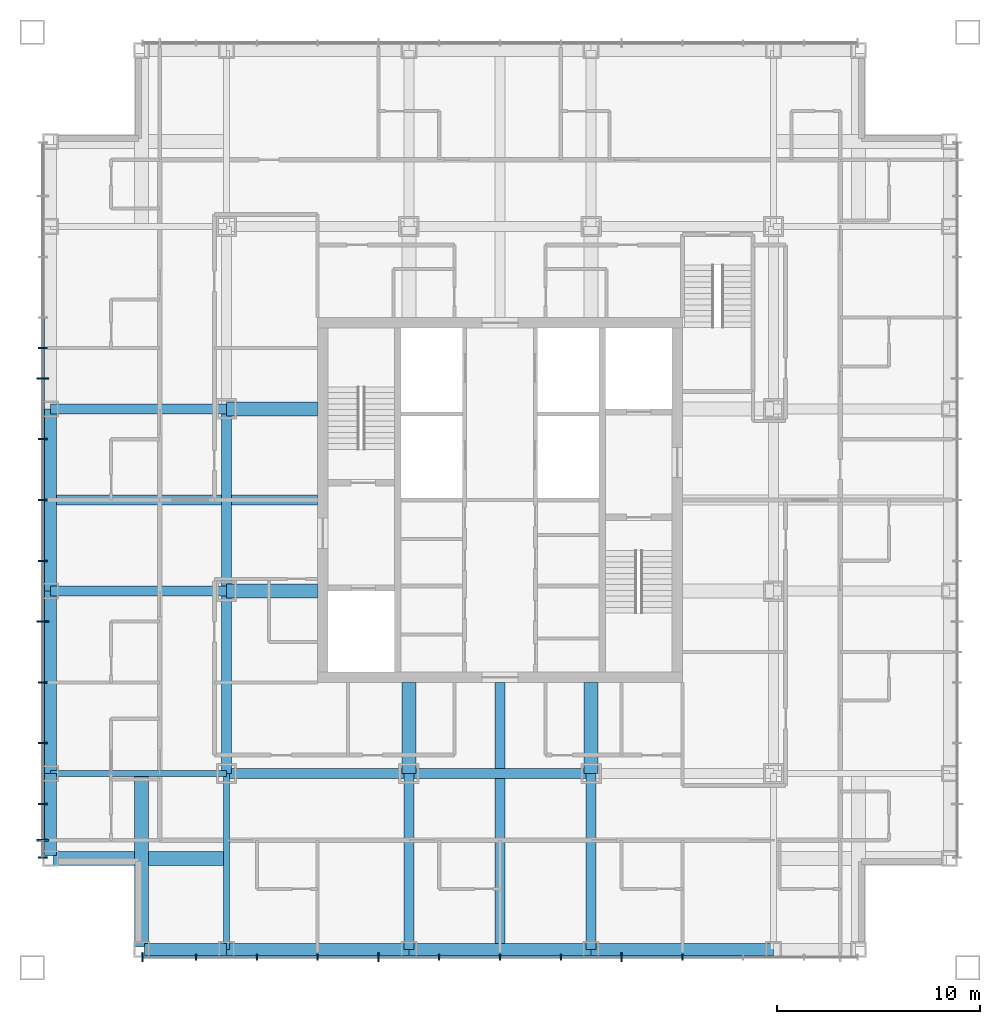
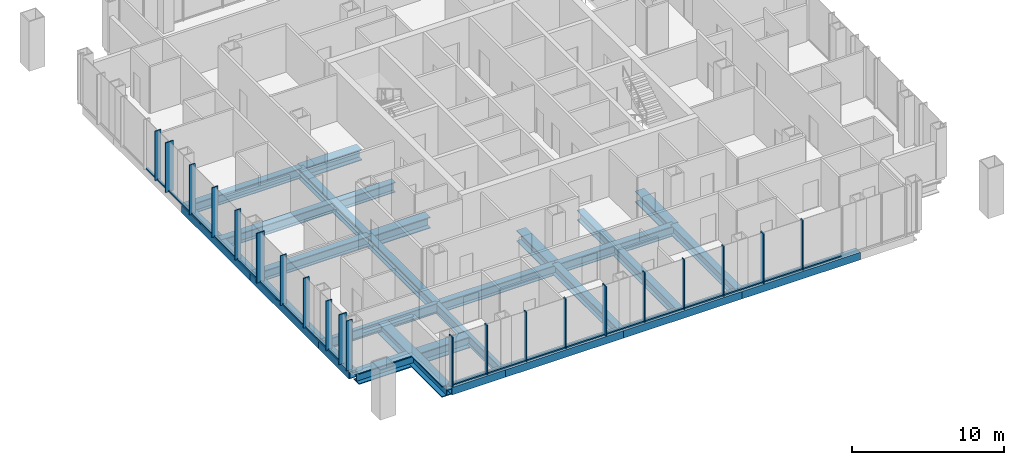
# One storey, part 2 of 11: 41 members, 25 beams, 2 elements without a shape of their own.
"""IFC4 building model written with IfcOpenShell, lengths in metres."""

from ifc_helpers import new_model, si_unit, direction, frame, origin, origin_2d, place, context, subcontext, project, spatial, rectangle, hollow_rectangle, i_section, extrude, material, layer, layer_set, material_profile, profile_set, type_object, element, aggregate, save


model = new_model("IFC4")

# Units and contexts
model_context = context("Model", 3, precision=1e-05, world=origin(), true_north=direction((0.0, 1.0)))
body_context = subcontext(model_context, "Body", "Model", "MODEL_VIEW")
ifc_project = project(units=[si_unit("LENGTHUNIT", "METRE"), si_unit("AREAUNIT", "SQUARE_METRE"), si_unit("VOLUMEUNIT", "CUBIC_METRE"), si_unit("PLANEANGLEUNIT", "RADIAN"), si_unit("MASSUNIT", "GRAM", prefix="KILO")], contexts=[model_context])

# Site, building, storey
site_placement = place(None, origin())
site = spatial("IfcSite", under=ifc_project, at=site_placement, CompositionType="ELEMENT")
building_placement = place(site_placement, origin())
building = spatial("IfcBuilding", under=site, at=building_placement, Name="Malebo Sky Hospital", CompositionType="ELEMENT")
storey_placement = place(building_placement, frame((0.0, 0.0, 213.0)))
storey = spatial("IfcBuildingStorey", under=building, at=storey_placement, Name="L51", CompositionType="ELEMENT", Elevation=213.0)

# Curtain wall, members
ifc_material_1 = material(Name="Anodised aluminium, natural silver", Category="aluminium")
ifc_layer_1 = layer(ifc_material_1, 0.25)
ifc_layer_set_1 = layer_set([ifc_layer_1], Name="WARD CURTAIN WALL EAST AND WEST")
curtain_wall_type_1 = type_object("IfcCurtainWallType", Name="WARD CURTAIN WALL EAST AND WEST", PredefinedType="NOTDEFINED", material=ifc_layer_set_1)
curtain_wall_1_placement = place(storey_placement, origin())
curtain_wall_1 = element("IfcCurtainWall", 1, at=curtain_wall_1_placement, inside=storey, type_object=curtain_wall_type_1, Name="EW curtain wall W", PredefinedType="NOTDEFINED")
ifc_material_profile_1 = material_profile(ifc_material_1, rectangle(XDim=0.14990234375, YDim=0.10009765625, at=origin_2d()), Name="ALUMINIUM TRANSOM 150x100")
ifc_profile_set_1 = profile_set([ifc_material_profile_1], Name="Anodised aluminium, natural silver")
member_type_1 = type_object("IfcMemberType", Name="ALUMINIUM TRANSOM 150x100", PredefinedType="USERDEFINED", material=ifc_profile_set_1)
member_1_placement = place(storey_placement, frame((37.425048828125, 45.237548828125, 0.050048828125), z_axis=(0.0, 1.0, 0.0), x_axis=(-1.0, 0.0, 0.0)))
member_1 = element("IfcMember", 2, at=member_1_placement, type_object=member_type_1, Name="Transom 2", ObjectType="TRANSOM", PredefinedType="USERDEFINED", context=body_context, shape_type="SweptSolid", body=[
    extrude(rectangle(XDim=0.14990234375, YDim=0.10009765625, at=origin_2d()), origin(), (0.0, 0.0, 1.0), 1.724853515625),
])
member_2_placement = place(storey_placement, frame((37.425048828125, 47.03759765625, 0.050048828125), z_axis=(0.0, 1.0, 0.0), x_axis=(-1.0, 0.0, 0.0)))
member_2 = element("IfcMember", 3, at=member_2_placement, type_object=member_type_1, Name="Transom 3", ObjectType="TRANSOM", PredefinedType="USERDEFINED", context=body_context, shape_type="SweptSolid", body=[
    extrude(rectangle(XDim=0.14990234375, YDim=0.10009765625, at=origin_2d()), origin(), (0.0, 0.0, 1.0), 2.9248046875),
])
member_3_placement = place(storey_placement, frame((37.425048828125, 50.03759765625, 0.050048828125), z_axis=(0.0, 1.0, 0.0), x_axis=(-1.0, 0.0, 0.0)))
member_3 = element("IfcMember", 4, at=member_3_placement, type_object=member_type_1, Name="Transom 4", ObjectType="TRANSOM", PredefinedType="USERDEFINED", context=body_context, shape_type="SweptSolid", body=[
    extrude(rectangle(XDim=0.14990234375, YDim=0.10009765625, at=origin_2d()), origin(), (0.0, 0.0, 1.0), 2.9248046875),
])
member_4_placement = place(storey_placement, frame((37.425048828125, 53.03759765625, 0.050048828125), z_axis=(0.0, 1.0, 0.0), x_axis=(-1.0, 0.0, 0.0)))
member_4 = element("IfcMember", 5, at=member_4_placement, type_object=member_type_1, Name="Transom 5", ObjectType="TRANSOM", PredefinedType="USERDEFINED", context=body_context, shape_type="SweptSolid", body=[
    extrude(rectangle(XDim=0.14990234375, YDim=0.10009765625, at=origin_2d()), origin(), (0.0, 0.0, 1.0), 2.9248046875),
])
member_5_placement = place(storey_placement, frame((37.425048828125, 56.03759765625, 0.050048828125), z_axis=(0.0, 1.0, 0.0), x_axis=(-1.0, 0.0, 0.0)))
member_5 = element("IfcMember", 6, at=member_5_placement, type_object=member_type_1, Name="Transom 6", ObjectType="TRANSOM", PredefinedType="USERDEFINED", context=body_context, shape_type="SweptSolid", body=[
    extrude(rectangle(XDim=0.14990234375, YDim=0.10009765625, at=origin_2d()), origin(), (0.0, 0.0, 1.0), 2.9248046875),
])
member_6_placement = place(storey_placement, frame((37.425048828125, 59.03759765625, 0.050048828125), z_axis=(0.0, 1.0, 0.0), x_axis=(-1.0, 0.0, 0.0)))
member_6 = element("IfcMember", 7, at=member_6_placement, type_object=member_type_1, Name="Transom 7", ObjectType="TRANSOM", PredefinedType="USERDEFINED", context=body_context, shape_type="SweptSolid", body=[
    extrude(rectangle(XDim=0.14990234375, YDim=0.10009765625, at=origin_2d()), origin(), (0.0, 0.0, 1.0), 2.9248046875),
])
member_7_placement = place(storey_placement, frame((37.425048828125, 62.03759765625, 0.050048828125), z_axis=(0.0, 1.0, 0.0), x_axis=(-1.0, 0.0, 0.0)))
member_7 = element("IfcMember", 8, at=member_7_placement, type_object=member_type_1, Name="Transom 8", ObjectType="TRANSOM", PredefinedType="USERDEFINED", context=body_context, shape_type="SweptSolid", body=[
    extrude(rectangle(XDim=0.14990234375, YDim=0.10009765625, at=origin_2d()), origin(), (0.0, 0.0, 1.0), 2.9248046875),
])
member_8_placement = place(storey_placement, frame((37.425048828125, 65.03759765625, 0.050048828125), z_axis=(0.0, 1.0, 0.0), x_axis=(-1.0, 0.0, 0.0)))
member_8 = element("IfcMember", 9, at=member_8_placement, type_object=member_type_1, Name="Transom 9", ObjectType="TRANSOM", PredefinedType="USERDEFINED", context=body_context, shape_type="SweptSolid", body=[
    extrude(rectangle(XDim=0.14990234375, YDim=0.10009765625, at=origin_2d()), origin(), (0.0, 0.0, 1.0), 2.9248046875),
])
member_9_placement = place(storey_placement, frame((37.425048828125, 68.03759765625, 0.050048828125), z_axis=(0.0, 1.0, 0.0), x_axis=(-1.0, 0.0, 0.0)))
member_9 = element("IfcMember", 10, at=member_9_placement, type_object=member_type_1, Name="Transom 10", ObjectType="TRANSOM", PredefinedType="USERDEFINED", context=body_context, shape_type="SweptSolid", body=[
    extrude(rectangle(XDim=0.14990234375, YDim=0.10009765625, at=origin_2d()), origin(), (0.0, 0.0, 1.0), 1.4248046875),
])
member_10_placement = place(storey_placement, frame((37.425048828125, 69.53759765625, 0.050048828125), z_axis=(0.0, 1.0, 0.0), x_axis=(-1.0, 0.0, 0.0)))
member_10 = element("IfcMember", 11, at=member_10_placement, type_object=member_type_1, Name="Transom 11", ObjectType="TRANSOM", PredefinedType="USERDEFINED", context=body_context, shape_type="SweptSolid", body=[
    extrude(rectangle(XDim=0.14990234375, YDim=0.10009765625, at=origin_2d()), origin(), (0.0, 0.0, 1.0), 1.4248046875),
])

ifc_layer_2 = layer(ifc_material_1, 0.25)
ifc_layer_set_2 = layer_set([ifc_layer_2], Name="WARD CURTAIN WALL NORTH AND SOUTH")
curtain_wall_type_2 = type_object("IfcCurtainWallType", Name="WARD CURTAIN WALL NORTH AND SOUTH", PredefinedType="NOTDEFINED", material=ifc_layer_set_2)
curtain_wall_2_placement = place(storey_placement, origin())
curtain_wall_2 = element("IfcCurtainWall", 12, at=curtain_wall_2_placement, inside=storey, type_object=curtain_wall_type_2, Name="NS curtain wall S", PredefinedType="NOTDEFINED")
member_11_placement = place(storey_placement, frame((71.96240234375, 39.425048828125, 0.050048828125), z_axis=(-1.0, 0.0, 0.0), x_axis=(0.0, -1.0, 0.0)))
member_11 = element("IfcMember", 13, at=member_11_placement, type_object=member_type_1, Name="Transom 4", ObjectType="TRANSOM", PredefinedType="USERDEFINED", context=body_context, shape_type="SweptSolid", body=[
    extrude(rectangle(XDim=0.14990234375, YDim=0.10009765625, at=origin_2d()), origin(), (0.0, 0.0, 1.0), 2.9248046875),
])
member_12_placement = place(storey_placement, frame((68.96240234375, 39.425048828125, 0.050048828125), z_axis=(-1.0, 0.0, 0.0), x_axis=(0.0, -1.0, 0.0)))
member_12 = element("IfcMember", 14, at=member_12_placement, type_object=member_type_1, Name="Transom 5", ObjectType="TRANSOM", PredefinedType="USERDEFINED", context=body_context, shape_type="SweptSolid", body=[
    extrude(rectangle(XDim=0.14990234375, YDim=0.10009765625, at=origin_2d()), origin(), (0.0, 0.0, 1.0), 2.9248046875),
])
member_13_placement = place(storey_placement, frame((65.96240234375, 39.425048828125, 0.050048828125), z_axis=(-1.0, 0.0, 0.0), x_axis=(0.0, -1.0, 0.0)))
member_13 = element("IfcMember", 15, at=member_13_placement, type_object=member_type_1, Name="Transom 6", ObjectType="TRANSOM", PredefinedType="USERDEFINED", context=body_context, shape_type="SweptSolid", body=[
    extrude(rectangle(XDim=0.14990234375, YDim=0.10009765625, at=origin_2d()), origin(), (0.0, 0.0, 1.0), 2.9248046875),
])
member_14_placement = place(storey_placement, frame((62.96240234375, 39.425048828125, 0.050048828125), z_axis=(-1.0, 0.0, 0.0), x_axis=(0.0, -1.0, 0.0)))
member_14 = element("IfcMember", 16, at=member_14_placement, type_object=member_type_1, Name="Transom 7", ObjectType="TRANSOM", PredefinedType="USERDEFINED", context=body_context, shape_type="SweptSolid", body=[
    extrude(rectangle(XDim=0.14990234375, YDim=0.10009765625, at=origin_2d()), origin(), (0.0, 0.0, 1.0), 2.9248046875),
])
member_15_placement = place(storey_placement, frame((59.96240234375, 39.425048828125, 0.050048828125), z_axis=(-1.0, 0.0, 0.0), x_axis=(0.0, -1.0, 0.0)))
member_15 = element("IfcMember", 17, at=member_15_placement, type_object=member_type_1, Name="Transom 8", ObjectType="TRANSOM", PredefinedType="USERDEFINED", context=body_context, shape_type="SweptSolid", body=[
    extrude(rectangle(XDim=0.14990234375, YDim=0.10009765625, at=origin_2d()), origin(), (0.0, 0.0, 1.0), 2.9248046875),
])
member_16_placement = place(storey_placement, frame((56.96240234375, 39.425048828125, 0.050048828125), z_axis=(-1.0, 0.0, 0.0), x_axis=(0.0, -1.0, 0.0)))
member_16 = element("IfcMember", 18, at=member_16_placement, type_object=member_type_1, Name="Transom 9", ObjectType="TRANSOM", PredefinedType="USERDEFINED", context=body_context, shape_type="SweptSolid", body=[
    extrude(rectangle(XDim=0.14990234375, YDim=0.10009765625, at=origin_2d()), origin(), (0.0, 0.0, 1.0), 2.9248046875),
])
member_17_placement = place(storey_placement, frame((53.96240234375, 39.425048828125, 0.050048828125), z_axis=(-1.0, 0.0, 0.0), x_axis=(0.0, -1.0, 0.0)))
member_17 = element("IfcMember", 19, at=member_17_placement, type_object=member_type_1, Name="Transom 10", ObjectType="TRANSOM", PredefinedType="USERDEFINED", context=body_context, shape_type="SweptSolid", body=[
    extrude(rectangle(XDim=0.14990234375, YDim=0.10009765625, at=origin_2d()), origin(), (0.0, 0.0, 1.0), 2.9248046875),
])
member_18_placement = place(storey_placement, frame((50.96240234375, 39.425048828125, 0.050048828125), z_axis=(-1.0, 0.0, 0.0), x_axis=(0.0, -1.0, 0.0)))
member_18 = element("IfcMember", 20, at=member_18_placement, type_object=member_type_1, Name="Transom 11", ObjectType="TRANSOM", PredefinedType="USERDEFINED", context=body_context, shape_type="SweptSolid", body=[
    extrude(rectangle(XDim=0.14990234375, YDim=0.10009765625, at=origin_2d()), origin(), (0.0, 0.0, 1.0), 2.9248046875),
])
member_19_placement = place(storey_placement, frame((47.96240234375, 39.425048828125, 0.050048828125), z_axis=(-1.0, 0.0, 0.0), x_axis=(0.0, -1.0, 0.0)))
member_19 = element("IfcMember", 21, at=member_19_placement, type_object=member_type_1, Name="Transom 12", ObjectType="TRANSOM", PredefinedType="USERDEFINED", context=body_context, shape_type="SweptSolid", body=[
    extrude(rectangle(XDim=0.14990234375, YDim=0.10009765625, at=origin_2d()), origin(), (0.0, 0.0, 1.0), 2.9248046875),
])
member_20_placement = place(storey_placement, frame((44.96240234375, 39.425048828125, 0.050048828125), z_axis=(-1.0, 0.0, 0.0), x_axis=(0.0, -1.0, 0.0)))
member_20 = element("IfcMember", 22, at=member_20_placement, type_object=member_type_1, Name="Transom 13", ObjectType="TRANSOM", PredefinedType="USERDEFINED", context=body_context, shape_type="SweptSolid", body=[
    extrude(rectangle(XDim=0.14990234375, YDim=0.10009765625, at=origin_2d()), origin(), (0.0, 0.0, 1.0), 2.58740234375),
])
ifc_material_profile_2 = material_profile(ifc_material_1, rectangle(XDim=0.074951171875, YDim=0.300048828125, at=origin_2d()), Name="CW1 ALUMINIUM FIN MULLION 75x300")
ifc_profile_set_2 = profile_set([ifc_material_profile_2], Name="Anodised aluminium, natural silver")
member_type_2 = type_object("IfcMemberType", Name="CW1 ALUMINIUM FIN MULLION 75x300", PredefinedType="MULLION", material=ifc_profile_set_2)
member_21_placement = place(storey_placement, frame((69.0, 39.425048828125, 0.0), z_axis=(0.0, 0.0, 1.0), x_axis=(-1.0, 0.0, 0.0)))
member_21 = element("IfcMember", 23, at=member_21_placement, type_object=member_type_2, Name="Fin mullion 5", PredefinedType="MULLION", context=body_context, shape_type="SweptSolid", body=[
    extrude(rectangle(XDim=0.074951171875, YDim=0.300048828125, at=origin_2d()), origin(), (0.0, 0.0, 1.0), 4.0),
])
member_22_placement = place(storey_placement, frame((63.0, 39.425048828125, 0.0), z_axis=(0.0, 0.0, 1.0), x_axis=(-1.0, 0.0, 0.0)))
member_22 = element("IfcMember", 24, at=member_22_placement, type_object=member_type_2, Name="Fin mullion 7", PredefinedType="MULLION", context=body_context, shape_type="SweptSolid", body=[
    extrude(rectangle(XDim=0.074951171875, YDim=0.300048828125, at=origin_2d()), origin(), (0.0, 0.0, 1.0), 4.0),
])
member_23_placement = place(storey_placement, frame((60.0, 39.425048828125, 0.0), z_axis=(0.0, 0.0, 1.0), x_axis=(-1.0, 0.0, 0.0)))
member_23 = element("IfcMember", 25, at=member_23_placement, type_object=member_type_2, Name="Fin mullion 8", PredefinedType="MULLION", context=body_context, shape_type="SweptSolid", body=[
    extrude(rectangle(XDim=0.074951171875, YDim=0.300048828125, at=origin_2d()), origin(), (0.0, 0.0, 1.0), 4.0),
])
member_24_placement = place(storey_placement, frame((57.0, 39.425048828125, 0.0), z_axis=(0.0, 0.0, 1.0), x_axis=(-1.0, 0.0, 0.0)))
member_24 = element("IfcMember", 26, at=member_24_placement, type_object=member_type_2, Name="Fin mullion 9", PredefinedType="MULLION", context=body_context, shape_type="SweptSolid", body=[
    extrude(rectangle(XDim=0.074951171875, YDim=0.300048828125, at=origin_2d()), origin(), (0.0, 0.0, 1.0), 4.0),
])
member_25_placement = place(storey_placement, frame((51.0, 39.425048828125, 0.0), z_axis=(0.0, 0.0, 1.0), x_axis=(-1.0, 0.0, 0.0)))
member_25 = element("IfcMember", 27, at=member_25_placement, type_object=member_type_2, Name="Fin mullion 11", PredefinedType="MULLION", context=body_context, shape_type="SweptSolid", body=[
    extrude(rectangle(XDim=0.074951171875, YDim=0.300048828125, at=origin_2d()), origin(), (0.0, 0.0, 1.0), 4.0),
])
member_26_placement = place(storey_placement, frame((48.0, 39.425048828125, 0.0), z_axis=(0.0, 0.0, 1.0), x_axis=(-1.0, 0.0, 0.0)))
member_26 = element("IfcMember", 28, at=member_26_placement, type_object=member_type_2, Name="Fin mullion 12", PredefinedType="MULLION", context=body_context, shape_type="SweptSolid", body=[
    extrude(rectangle(XDim=0.074951171875, YDim=0.300048828125, at=origin_2d()), origin(), (0.0, 0.0, 1.0), 4.0),
])
member_27_placement = place(storey_placement, frame((45.0, 39.425048828125, 0.0), z_axis=(0.0, 0.0, 1.0), x_axis=(-1.0, 0.0, 0.0)))
member_27 = element("IfcMember", 29, at=member_27_placement, type_object=member_type_2, Name="Fin mullion 13", PredefinedType="MULLION", context=body_context, shape_type="SweptSolid", body=[
    extrude(rectangle(XDim=0.074951171875, YDim=0.300048828125, at=origin_2d()), origin(), (0.0, 0.0, 1.0), 4.0),
])
ifc_material_profile_3 = material_profile(ifc_material_1, rectangle(XDim=0.074951171875, YDim=0.449951171875, at=origin_2d()), Name="CW1 ALUMINIUM FIN MULLION 75x450")
ifc_profile_set_3 = profile_set([ifc_material_profile_3], Name="Anodised aluminium, natural silver")
member_type_3 = type_object("IfcMemberType", Name="CW1 ALUMINIUM FIN MULLION 75x450", PredefinedType="MULLION", material=ifc_profile_set_3)
member_28_placement = place(storey_placement, frame((66.0, 39.425048828125, 0.0), z_axis=(0.0, 0.0, 1.0), x_axis=(-1.0, 0.0, 0.0)))
member_28 = element("IfcMember", 30, at=member_28_placement, type_object=member_type_3, Name="Fin mullion 6", PredefinedType="MULLION", context=body_context, shape_type="SweptSolid", body=[
    extrude(rectangle(XDim=0.074951171875, YDim=0.449951171875, at=origin_2d()), origin(), (0.0, 0.0, 1.0), 4.0),
])
member_29_placement = place(storey_placement, frame((54.0, 39.425048828125, 0.0), z_axis=(0.0, 0.0, 1.0), x_axis=(-1.0, 0.0, 0.0)))
member_29 = element("IfcMember", 31, at=member_29_placement, type_object=member_type_3, Name="Fin mullion 10", PredefinedType="MULLION", context=body_context, shape_type="SweptSolid", body=[
    extrude(rectangle(XDim=0.074951171875, YDim=0.449951171875, at=origin_2d()), origin(), (0.0, 0.0, 1.0), 4.0),
])
member_30_placement = place(storey_placement, frame((42.33740234375, 39.425048828125, 0.0), z_axis=(0.0, 0.0, 1.0), x_axis=(-1.0, 0.0, 0.0)))
member_30 = element("IfcMember", 32, at=member_30_placement, type_object=member_type_3, Name="Fin mullion 14", PredefinedType="MULLION", context=body_context, shape_type="SweptSolid", body=[
    extrude(rectangle(XDim=0.074951171875, YDim=0.449951171875, at=origin_2d()), origin(), (0.0, 0.0, 1.0), 4.0),
])
aggregate(curtain_wall_2, [member_21, member_28, member_22, member_23, member_24, member_29, member_25, member_26, member_27, member_30, member_11, member_12, member_13, member_14, member_15, member_16, member_17, member_18, member_19, member_20])

# Member
ifc_material_profile_4 = material_profile(ifc_material_1, rectangle(XDim=0.074951171875, YDim=0.449951171875, at=origin_2d()), Name="CW2 ALUMINIUM FIN MULLION 75x450")
ifc_profile_set_4 = profile_set([ifc_material_profile_4], Name="Anodised aluminium, natural silver")
member_type_4 = type_object("IfcMemberType", Name="CW2 ALUMINIUM FIN MULLION 75x450", PredefinedType="MULLION", material=ifc_profile_set_4)
member_31_placement = place(storey_placement, frame((37.425048828125, 44.33740234375, 0.0), z_axis=(0.0, 0.0, 1.0), x_axis=(0.0, 1.0, 0.0)))
member_31 = element("IfcMember", 33, at=member_31_placement, type_object=member_type_4, Name="Fin mullion 1", PredefinedType="MULLION", context=body_context, shape_type="SweptSolid", body=[
    extrude(rectangle(XDim=0.074951171875, YDim=0.449951171875, at=origin_2d()), origin(), (0.0, 0.0, 1.0), 4.0),
])

member_32_placement = place(storey_placement, frame((37.425048828125, 47.0, 0.0), z_axis=(0.0, 0.0, 1.0), x_axis=(0.0, 1.0, 0.0)))
member_32 = element("IfcMember", 34, at=member_32_placement, type_object=member_type_4, Name="Fin mullion 3", PredefinedType="MULLION", context=body_context, shape_type="SweptSolid", body=[
    extrude(rectangle(XDim=0.074951171875, YDim=0.449951171875, at=origin_2d()), origin(), (0.0, 0.0, 1.0), 4.0),
])

member_33_placement = place(storey_placement, frame((37.425048828125, 50.0, 0.0), z_axis=(0.0, 0.0, 1.0), x_axis=(0.0, 1.0, 0.0)))
member_33 = element("IfcMember", 35, at=member_33_placement, type_object=member_type_4, Name="Fin mullion 4", PredefinedType="MULLION", context=body_context, shape_type="SweptSolid", body=[
    extrude(rectangle(XDim=0.074951171875, YDim=0.449951171875, at=origin_2d()), origin(), (0.0, 0.0, 1.0), 4.0),
])

member_34_placement = place(storey_placement, frame((37.425048828125, 53.0, 0.0), z_axis=(0.0, 0.0, 1.0), x_axis=(0.0, 1.0, 0.0)))
member_34 = element("IfcMember", 36, at=member_34_placement, type_object=member_type_4, Name="Fin mullion 5", PredefinedType="MULLION", context=body_context, shape_type="SweptSolid", body=[
    extrude(rectangle(XDim=0.074951171875, YDim=0.449951171875, at=origin_2d()), origin(), (0.0, 0.0, 1.0), 4.0),
])

member_35_placement = place(storey_placement, frame((37.425048828125, 59.0, 0.0), z_axis=(0.0, 0.0, 1.0), x_axis=(0.0, 1.0, 0.0)))
member_35 = element("IfcMember", 37, at=member_35_placement, type_object=member_type_4, Name="Fin mullion 7", PredefinedType="MULLION", context=body_context, shape_type="SweptSolid", body=[
    extrude(rectangle(XDim=0.074951171875, YDim=0.449951171875, at=origin_2d()), origin(), (0.0, 0.0, 1.0), 4.0),
])

member_36_placement = place(storey_placement, frame((37.425048828125, 62.0, 0.0), z_axis=(0.0, 0.0, 1.0), x_axis=(0.0, 1.0, 0.0)))
member_36 = element("IfcMember", 38, at=member_36_placement, type_object=member_type_4, Name="Fin mullion 8", PredefinedType="MULLION", context=body_context, shape_type="SweptSolid", body=[
    extrude(rectangle(XDim=0.074951171875, YDim=0.449951171875, at=origin_2d()), origin(), (0.0, 0.0, 1.0), 4.0),
])

member_37_placement = place(storey_placement, frame((37.425048828125, 65.0, 0.0), z_axis=(0.0, 0.0, 1.0), x_axis=(0.0, 1.0, 0.0)))
member_37 = element("IfcMember", 39, at=member_37_placement, type_object=member_type_4, Name="Fin mullion 9", PredefinedType="MULLION", context=body_context, shape_type="SweptSolid", body=[
    extrude(rectangle(XDim=0.074951171875, YDim=0.449951171875, at=origin_2d()), origin(), (0.0, 0.0, 1.0), 4.0),
])

member_38_placement = place(storey_placement, frame((37.425048828125, 69.5, 0.0), z_axis=(0.0, 0.0, 1.0), x_axis=(0.0, 1.0, 0.0)))
member_38 = element("IfcMember", 40, at=member_38_placement, type_object=member_type_4, Name="Fin mullion 11", PredefinedType="MULLION", context=body_context, shape_type="SweptSolid", body=[
    extrude(rectangle(XDim=0.074951171875, YDim=0.449951171875, at=origin_2d()), origin(), (0.0, 0.0, 1.0), 4.0),
])

ifc_material_profile_5 = material_profile(ifc_material_1, rectangle(XDim=0.074951171875, YDim=0.60009765625, at=origin_2d()), Name="CW2 ALUMINIUM FIN MULLION 75x600")
ifc_profile_set_5 = profile_set([ifc_material_profile_5], Name="Anodised aluminium, natural silver")
member_type_5 = type_object("IfcMemberType", Name="CW2 ALUMINIUM FIN MULLION 75x600", PredefinedType="MULLION", material=ifc_profile_set_5)
member_39_placement = place(storey_placement, frame((37.425048828125, 45.199951171875, 0.0), z_axis=(0.0, 0.0, 1.0), x_axis=(0.0, 1.0, 0.0)))
member_39 = element("IfcMember", 41, at=member_39_placement, type_object=member_type_5, Name="Fin mullion 2", PredefinedType="MULLION", context=body_context, shape_type="SweptSolid", body=[
    extrude(rectangle(XDim=0.074951171875, YDim=0.60009765625, at=origin_2d()), origin(), (0.0, 0.0, 1.0), 4.0),
])

member_40_placement = place(storey_placement, frame((37.425048828125, 56.0, 0.0), z_axis=(0.0, 0.0, 1.0), x_axis=(0.0, 1.0, 0.0)))
member_40 = element("IfcMember", 42, at=member_40_placement, type_object=member_type_5, Name="Fin mullion 6", PredefinedType="MULLION", context=body_context, shape_type="SweptSolid", body=[
    extrude(rectangle(XDim=0.074951171875, YDim=0.60009765625, at=origin_2d()), origin(), (0.0, 0.0, 1.0), 4.0),
])

member_41_placement = place(storey_placement, frame((37.425048828125, 68.0, 0.0), z_axis=(0.0, 0.0, 1.0), x_axis=(0.0, 1.0, 0.0)))
member_41 = element("IfcMember", 43, at=member_41_placement, type_object=member_type_5, Name="Fin mullion 10", PredefinedType="MULLION", context=body_context, shape_type="SweptSolid", body=[
    extrude(rectangle(XDim=0.074951171875, YDim=0.60009765625, at=origin_2d()), origin(), (0.0, 0.0, 1.0), 4.0),
])

aggregate(curtain_wall_1, [member_31, member_39, member_32, member_33, member_34, member_40, member_35, member_36, member_37, member_41, member_38, member_1, member_2, member_3, member_4, member_5, member_6, member_7, member_8, member_9, member_10])

# Beams
ifc_material_2 = material(Name="Steel S460", Category="steel")
ifc_material_profile_6 = material_profile(ifc_material_2, hollow_rectangle(XDim=0.60009765625, YDim=0.60009765625, WallThickness=0.0400390625, at=origin_2d()), Name="BOX 600x600x40")
ifc_profile_set_6 = profile_set([ifc_material_profile_6], Name="Steel S460")
beam_type_1 = type_object("IfcBeamType", Name="EDGE BEAM BOX 600x600x40", PredefinedType="BEAM", material=ifc_profile_set_6)
beam_1_placement = place(storey_placement, frame((37.800048828125, 44.449951171875, -0.550048828125), z_axis=(0.0, 1.0, 0.0), x_axis=(-1.0, 0.0, 0.0)))
element("IfcBeam", 44, at=beam_1_placement, inside=storey, type_object=beam_type_1, Name="Beam 000 L51", PredefinedType="BEAM", context=body_context, shape_type="SweptSolid", body=[
    extrude(hollow_rectangle(XDim=0.60009765625, YDim=0.60009765625, WallThickness=0.0400390625, at=origin_2d()), origin(), (0.0, 0.0, 1.0), 4.050048828125),
])
for number, where, z_axis, x_axis, name in (
    (45, (37.800048828125, 48.5, -0.550048828125), (0.0, 1.0, 0.0), (-1.0, 0.0, 0.0), "Beam 001 L51"),
    (46, (37.800048828125, 57.5, -0.550048828125), (0.0, 1.0, 0.0), (-1.0, 0.0, 0.0), "Beam 002 L51"),
):
    element("IfcBeam", number, at=place(storey_placement, frame(where, z_axis=z_axis, x_axis=x_axis)), inside=storey, type_object=beam_type_1, Name=name, PredefinedType="BEAM", context=body_context, shape_type="SweptSolid", body=[
        extrude(hollow_rectangle(XDim=0.60009765625, YDim=0.60009765625, WallThickness=0.0400390625, at=origin_2d()), origin(), (0.0, 0.0, 1.0), 9.0),
    ])
beam_2_placement = place(storey_placement, frame((42.449951171875, 39.800048828125, -0.550048828125), z_axis=(1.0, 0.0, 0.0), x_axis=(0.0, 1.0, 0.0)))
element("IfcBeam", 47, at=beam_2_placement, inside=storey, type_object=beam_type_1, Name="Beam 034 L51", PredefinedType="BEAM", context=body_context, shape_type="SweptSolid", body=[
    extrude(hollow_rectangle(XDim=0.60009765625, YDim=0.60009765625, WallThickness=0.0400390625, at=origin_2d()), origin(), (0.0, 0.0, 1.0), 4.050048828125),
])
for number, where, z_axis, x_axis, name in (
    (48, (46.5, 39.800048828125, -0.550048828125), (1.0, 0.0, 0.0), (0.0, 1.0, 0.0), "Beam 035 L51"),
    (49, (55.5, 39.800048828125, -0.550048828125), (1.0, 0.0, 0.0), (0.0, 1.0, 0.0), "Beam 036 L51"),
    (50, (64.5, 39.800048828125, -0.550048828125), (1.0, 0.0, 0.0), (0.0, 1.0, 0.0), "Beam 037 L51"),
):
    element("IfcBeam", number, at=place(storey_placement, frame(where, z_axis=z_axis, x_axis=x_axis)), inside=storey, type_object=beam_type_1, Name=name, PredefinedType="BEAM", context=body_context, shape_type="SweptSolid", body=[
        extrude(hollow_rectangle(XDim=0.60009765625, YDim=0.60009765625, WallThickness=0.0400390625, at=origin_2d()), origin(), (0.0, 0.0, 1.0), 9.0),
    ])
ifc_material_3 = material(Name="Steel S355", Category="steel")
ifc_material_profile_7 = material_profile(ifc_material_3, i_section(OverallWidth=0.5, OverallDepth=0.800048828125, WebThickness=0.030029296875, FlangeThickness=0.050048828125, at=origin_2d()), Name="PG 800x500x30x50")
ifc_profile_set_7 = profile_set([ifc_material_profile_7], Name="Steel S355")
beam_type_2 = type_object("IfcBeamType", Name="FLOOR BEAM PG 800x500x30x50", PredefinedType="BEAM", material=ifc_profile_set_7)
beam_3_placement = place(storey_placement, frame((46.5, 48.5, -0.64990234375), z_axis=(0.0, 1.0, 0.0), x_axis=(-1.0, 0.0, 0.0)))
element("IfcBeam", 51, at=beam_3_placement, inside=storey, type_object=beam_type_2, Name="Beam 008 L51", PredefinedType="BEAM", context=body_context, shape_type="SweptSolid", body=[
    extrude(i_section(OverallWidth=0.5, OverallDepth=0.800048828125, WebThickness=0.030029296875, FlangeThickness=0.050048828125, at=origin_2d()), origin(), (0.0, 0.0, 1.0), 9.0),
])
beam_4_placement = place(storey_placement, frame((55.5, 39.800048828125, -0.64990234375), z_axis=(0.0, 1.0, 0.0), x_axis=(-1.0, 0.0, 0.0)))
element("IfcBeam", 52, at=beam_4_placement, inside=storey, type_object=beam_type_2, Name="Beam 012 L51", PredefinedType="BEAM", context=body_context, shape_type="SweptSolid", body=[
    extrude(i_section(OverallWidth=0.5, OverallDepth=0.800048828125, WebThickness=0.030029296875, FlangeThickness=0.050048828125, at=origin_2d()), origin(), (0.0, 0.0, 1.0), 8.699951171875),
])
beam_5_placement = place(storey_placement, frame((60.0, 39.800048828125, -0.64990234375), z_axis=(0.0, 1.0, 0.0), x_axis=(-1.0, 0.0, 0.0)))
element("IfcBeam", 53, at=beam_5_placement, inside=storey, type_object=beam_type_2, Name="Beam 016 L51", PredefinedType="BEAM", context=body_context, shape_type="SweptSolid", body=[
    extrude(i_section(OverallWidth=0.5, OverallDepth=0.800048828125, WebThickness=0.030029296875, FlangeThickness=0.050048828125, at=origin_2d()), origin(), (0.0, 0.0, 1.0), 13.199951171875),
])
beam_6_placement = place(storey_placement, frame((64.5, 39.800048828125, -0.64990234375), z_axis=(0.0, 1.0, 0.0), x_axis=(-1.0, 0.0, 0.0)))
element("IfcBeam", 54, at=beam_6_placement, inside=storey, type_object=beam_type_2, Name="Beam 018 L51", PredefinedType="BEAM", context=body_context, shape_type="SweptSolid", body=[
    extrude(i_section(OverallWidth=0.5, OverallDepth=0.800048828125, WebThickness=0.030029296875, FlangeThickness=0.050048828125, at=origin_2d()), origin(), (0.0, 0.0, 1.0), 8.699951171875),
])
beam_7_placement = place(storey_placement, frame((46.5, 48.5, -0.64990234375), z_axis=(1.0, 0.0, 0.0), x_axis=(0.0, 1.0, 0.0)))
element("IfcBeam", 55, at=beam_7_placement, inside=storey, type_object=beam_type_2, Name="Beam 042 L51", PredefinedType="BEAM", context=body_context, shape_type="SweptSolid", body=[
    extrude(i_section(OverallWidth=0.5, OverallDepth=0.800048828125, WebThickness=0.030029296875, FlangeThickness=0.050048828125, at=origin_2d()), origin(), (0.0, 0.0, 1.0), 9.0),
])
beam_8_placement = place(storey_placement, frame((37.800048828125, 57.5, -0.64990234375), z_axis=(1.0, 0.0, 0.0), x_axis=(0.0, 1.0, 0.0)))
element("IfcBeam", 56, at=beam_8_placement, inside=storey, type_object=beam_type_2, Name="Beam 046 L51", PredefinedType="BEAM", context=body_context, shape_type="SweptSolid", body=[
    extrude(i_section(OverallWidth=0.5, OverallDepth=0.800048828125, WebThickness=0.030029296875, FlangeThickness=0.050048828125, at=origin_2d()), origin(), (0.0, 0.0, 1.0), 8.699951171875),
])
beam_9_placement = place(storey_placement, frame((37.800048828125, 62.0, -0.64990234375), z_axis=(1.0, 0.0, 0.0), x_axis=(0.0, 1.0, 0.0)))
element("IfcBeam", 57, at=beam_9_placement, inside=storey, type_object=beam_type_2, Name="Beam 050 L51", PredefinedType="BEAM", context=body_context, shape_type="SweptSolid", body=[
    extrude(i_section(OverallWidth=0.5, OverallDepth=0.800048828125, WebThickness=0.030029296875, FlangeThickness=0.050048828125, at=origin_2d()), origin(), (0.0, 0.0, 1.0), 13.199951171875),
])
beam_10_placement = place(storey_placement, frame((37.800048828125, 66.5, -0.64990234375), z_axis=(1.0, 0.0, 0.0), x_axis=(0.0, 1.0, 0.0)))
element("IfcBeam", 58, at=beam_10_placement, inside=storey, type_object=beam_type_2, Name="Beam 052 L51", PredefinedType="BEAM", context=body_context, shape_type="SweptSolid", body=[
    extrude(i_section(OverallWidth=0.5, OverallDepth=0.800048828125, WebThickness=0.030029296875, FlangeThickness=0.050048828125, at=origin_2d()), origin(), (0.0, 0.0, 1.0), 8.699951171875),
])
ifc_material_profile_8 = material_profile(ifc_material_3, i_section(OverallWidth=0.699951171875, OverallDepth=0.89990234375, WebThickness=0.0400390625, FlangeThickness=0.070068359375, at=origin_2d()), Name="PG 900x700x40x70")
ifc_profile_set_8 = profile_set([ifc_material_profile_8], Name="Steel S355")
beam_type_3 = type_object("IfcBeamType", Name="FLOOR BEAM PG 900x700x40x70", PredefinedType="BEAM", material=ifc_profile_set_8)
beam_11_placement = place(storey_placement, frame((42.300048828125, 39.949951171875, -0.699951171875), z_axis=(0.0, 1.0, 0.0), x_axis=(-1.0, 0.0, 0.0)))
element("IfcBeam", 59, at=beam_11_placement, inside=storey, type_object=beam_type_3, Name="Beam 005 L51", PredefinedType="BEAM", context=body_context, shape_type="SweptSolid", body=[
    extrude(i_section(OverallWidth=0.699951171875, OverallDepth=0.89990234375, WebThickness=0.0400390625, FlangeThickness=0.070068359375, at=origin_2d()), origin(), (0.0, 0.0, 1.0), 8.550048828125),
])
for number, where, z_axis, x_axis, name in (
    (60, (55.5, 48.5, -0.699951171875), (0.0, 1.0, 0.0), (-1.0, 0.0, 0.0), "Beam 013 L51"),
    (61, (64.5, 48.5, -0.699951171875), (0.0, 1.0, 0.0), (-1.0, 0.0, 0.0), "Beam 019 L51"),
):
    element("IfcBeam", number, at=place(storey_placement, frame(where, z_axis=z_axis, x_axis=x_axis)), inside=storey, type_object=beam_type_3, Name=name, PredefinedType="BEAM", context=body_context, shape_type="SweptSolid", body=[
        extrude(i_section(OverallWidth=0.699951171875, OverallDepth=0.89990234375, WebThickness=0.0400390625, FlangeThickness=0.070068359375, at=origin_2d()), origin(), (0.0, 0.0, 1.0), 4.5),
    ])
beam_12_placement = place(storey_placement, frame((37.949951171875, 44.300048828125, -0.699951171875), z_axis=(1.0, 0.0, 0.0), x_axis=(0.0, 1.0, 0.0)))
element("IfcBeam", 62, at=beam_12_placement, inside=storey, type_object=beam_type_3, Name="Beam 039 L51", PredefinedType="BEAM", context=body_context, shape_type="SweptSolid", body=[
    extrude(i_section(OverallWidth=0.699951171875, OverallDepth=0.89990234375, WebThickness=0.0400390625, FlangeThickness=0.070068359375, at=origin_2d()), origin(), (0.0, 0.0, 1.0), 8.550048828125),
])
for number, where, z_axis, x_axis, name in (
    (63, (46.5, 57.5, -0.699951171875), (1.0, 0.0, 0.0), (0.0, 1.0, 0.0), "Beam 047 L51"),
    (64, (46.5, 66.5, -0.699951171875), (1.0, 0.0, 0.0), (0.0, 1.0, 0.0), "Beam 053 L51"),
):
    element("IfcBeam", number, at=place(storey_placement, frame(where, z_axis=z_axis, x_axis=x_axis)), inside=storey, type_object=beam_type_3, Name=name, PredefinedType="BEAM", context=body_context, shape_type="SweptSolid", body=[
        extrude(i_section(OverallWidth=0.699951171875, OverallDepth=0.89990234375, WebThickness=0.0400390625, FlangeThickness=0.070068359375, at=origin_2d()), origin(), (0.0, 0.0, 1.0), 4.5),
    ])
ifc_material_profile_9 = material_profile(ifc_material_3, i_section(OverallWidth=0.300048828125, OverallDepth=0.800048828125, WebThickness=0.017578125, FlangeThickness=0.032958984375, FilletRadius=0.030029296875, at=origin_2d()), Name="HEB 800")
ifc_profile_set_9 = profile_set([ifc_material_profile_9], Name="Steel S355")
beam_type_4 = type_object("IfcBeamType", Name="FLOOR GIRDER HEB 800", PredefinedType="BEAM", material=ifc_profile_set_9)
for number, where, z_axis, x_axis, name in (
    (65, (46.5, 39.800048828125, -0.64990234375), (0.0, 1.0, 0.0), (-1.0, 0.0, 0.0), "Beam 007 L51"),
    (66, (37.800048828125, 48.5, -0.64990234375), (1.0, 0.0, 0.0), (0.0, 1.0, 0.0), "Beam 041 L51"),
):
    element("IfcBeam", number, at=place(storey_placement, frame(where, z_axis=z_axis, x_axis=x_axis)), inside=storey, type_object=beam_type_4, Name=name, PredefinedType="BEAM", context=body_context, shape_type="SweptSolid", body=[
        extrude(i_section(OverallWidth=0.300048828125, OverallDepth=0.800048828125, WebThickness=0.017578125, FlangeThickness=0.032958984375, FilletRadius=0.030029296875, at=origin_2d()), origin(), (0.0, 0.0, 1.0), 8.699951171875),
    ])
ifc_material_profile_10 = material_profile(ifc_material_3, i_section(OverallWidth=0.5, OverallDepth=0.800048828125, WebThickness=0.030029296875, FlangeThickness=0.050048828125, at=origin_2d()), Name="PG 800x500x30x50")
ifc_profile_set_10 = profile_set([ifc_material_profile_10], Name="Steel S355")
beam_type_5 = type_object("IfcBeamType", Name="RING GIRDER PG 800x500x30x50", PredefinedType="BEAM", material=ifc_profile_set_10)
for number, where, z_axis, x_axis, name in (
    (67, (46.5, 57.5, -0.64990234375), (0.0, 1.0, 0.0), (-1.0, 0.0, 0.0), "Beam 009 L51"),
    (68, (55.5, 48.5, -0.64990234375), (1.0, 0.0, 0.0), (0.0, 1.0, 0.0), "Beam 043 L51"),
):
    element("IfcBeam", number, at=place(storey_placement, frame(where, z_axis=z_axis, x_axis=x_axis)), inside=storey, type_object=beam_type_5, Name=name, PredefinedType="BEAM", context=body_context, shape_type="SweptSolid", body=[
        extrude(i_section(OverallWidth=0.5, OverallDepth=0.800048828125, WebThickness=0.030029296875, FlangeThickness=0.050048828125, at=origin_2d()), origin(), (0.0, 0.0, 1.0), 9.0),
    ])

save(model, "model.ifc")
